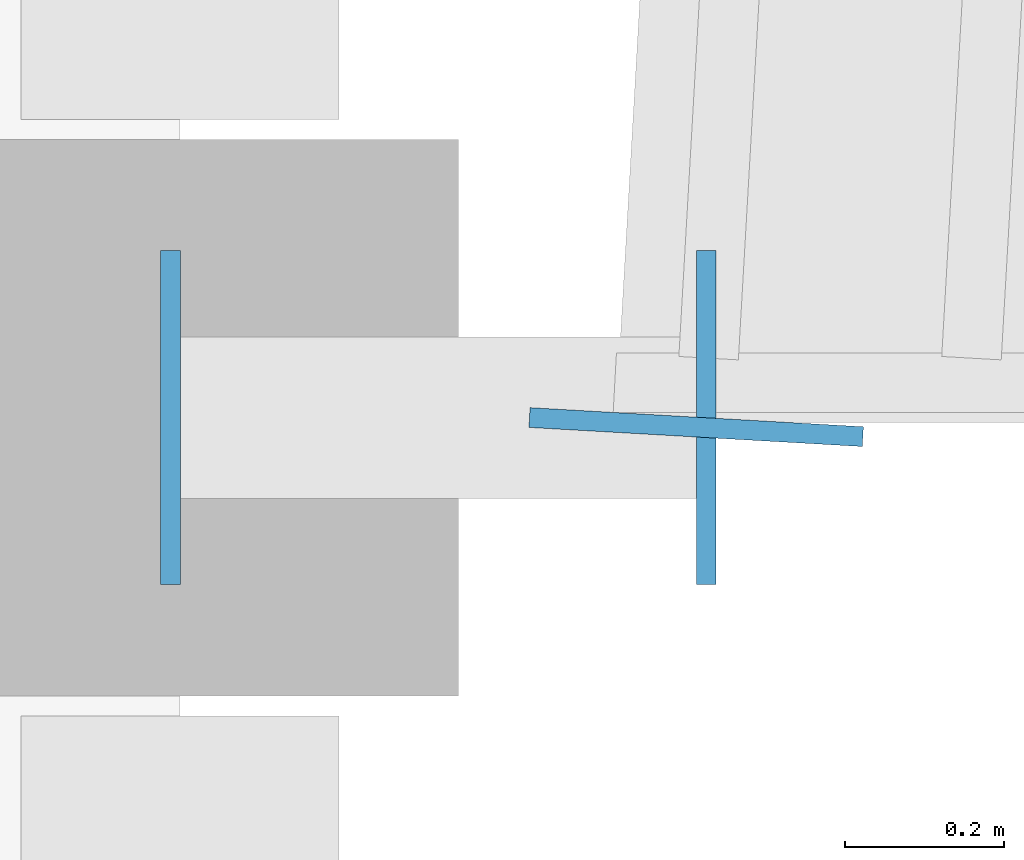
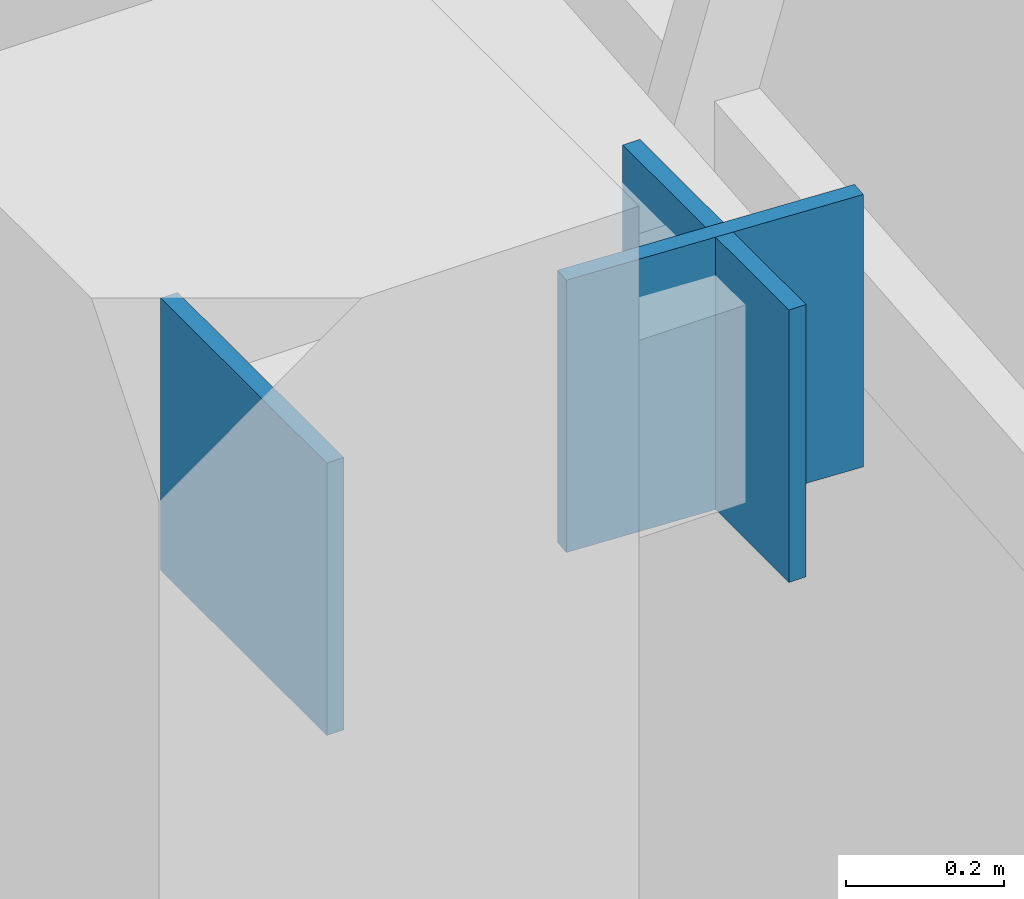
# One storey, part 76 of 91: 3 plates.
"""IFC4 building model written with IfcOpenShell, lengths in metres."""

from ifc_helpers import new_model, si_unit, direction, frame, origin, origin_2d, place, context, subcontext, project, spatial, rectangle, extrude, material, layer, layer_set, type_object, element, save


model = new_model("IFC4")

# Units and contexts
model_context = context("Model", 3, precision=1e-05, world=origin(), true_north=direction((0.0, 1.0)))
body_context = subcontext(model_context, "Body", "Model", "MODEL_VIEW")
ifc_project = project(units=[si_unit("LENGTHUNIT", "METRE"), si_unit("AREAUNIT", "SQUARE_METRE"), si_unit("VOLUMEUNIT", "CUBIC_METRE"), si_unit("PLANEANGLEUNIT", "RADIAN"), si_unit("MASSUNIT", "GRAM", prefix="KILO")], contexts=[model_context])

# Site, building, storey
site_placement = place(None, origin())
site = spatial("IfcSite", under=ifc_project, at=site_placement, CompositionType="ELEMENT")
building_placement = place(site_placement, origin())
building = spatial("IfcBuilding", under=site, at=building_placement, Name="Pellamere Symphony Hall", CompositionType="ELEMENT")
storey_placement = place(building_placement, frame((0.0, 0.0, 5.39990234375)))
storey = spatial("IfcBuildingStorey", under=building, at=storey_placement, Name="L01", CompositionType="ELEMENT", Elevation=5.39990234375)

# Plates
ifc_material = material(Name="Steel CSA G40.21 350W", Category="steel")
ifc_layer = layer(ifc_material, 0.02490234375, Name="Steel CSA G40.21 350W")
ifc_layer_set = layer_set([ifc_layer], Name="Steel CSA G40.21 350W")
plate_type = type_object("IfcPlateType", Name="Steel Connection Plate KP-01 420x420x25", PredefinedType="SHEET", material=ifc_layer_set)
for number, where, z_axis, x_axis, name in (
    (1, (119.44921875, 61.7880859375, 4.030029296875), (0.0, 0.0, 1.0), (0.057215536424, 0.998361849427, 0.0), "Crystal Spandrel End Cap Plate CW-CR08-1 (L01)"),
    (2, (118.7880859375, 61.800048828125, 4.030029296875), (0.0, 0.0, 1.0), (1.0, 0.0, 0.0), "Outrigger End Cap Plate 030.1 (L01)"),
    (3, (119.4619140625, 61.800048828125, 4.030029296875), (0.0, 0.0, 1.0), (1.0, 0.0, 0.0), "Outrigger End Cap Plate 030.2 (L01)"),
):
    element("IfcPlate", number, at=place(storey_placement, frame(where, z_axis=z_axis, x_axis=x_axis)), inside=storey, type_object=plate_type, Name=name, PredefinedType="SHEET", context=body_context, shape_type="SweptSolid", body=[
        extrude(rectangle(XDim=0.02490234375, YDim=0.419921875, at=origin_2d()), origin(), (0.0, 0.0, 1.0), 0.419921875),
    ])

save(model, "model.ifc")
